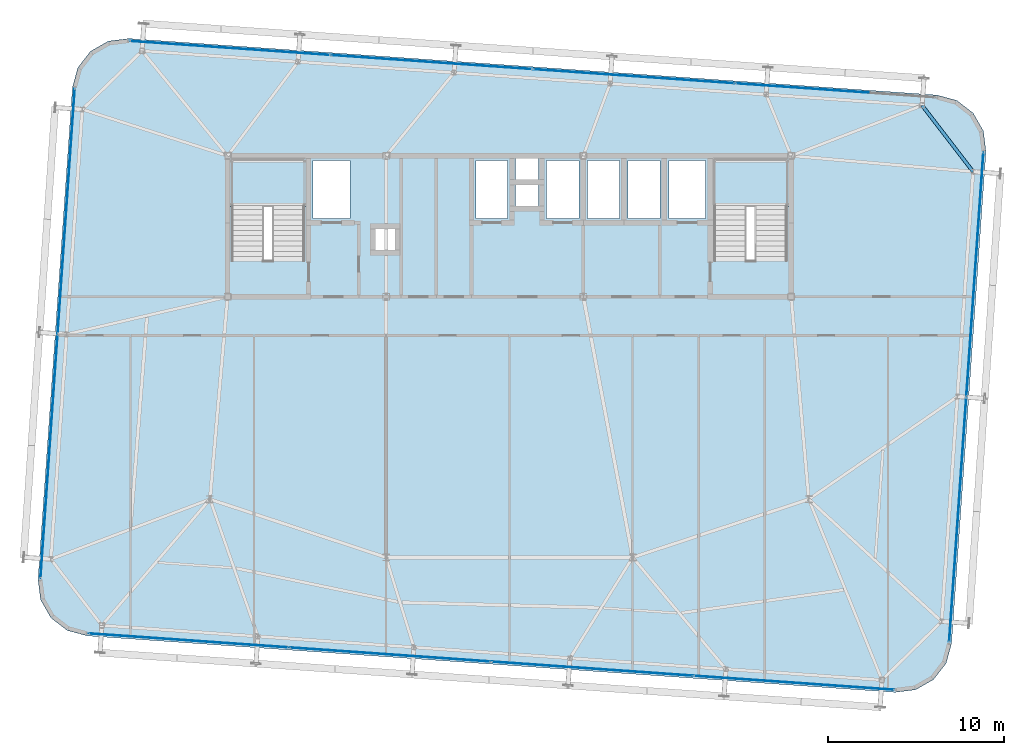
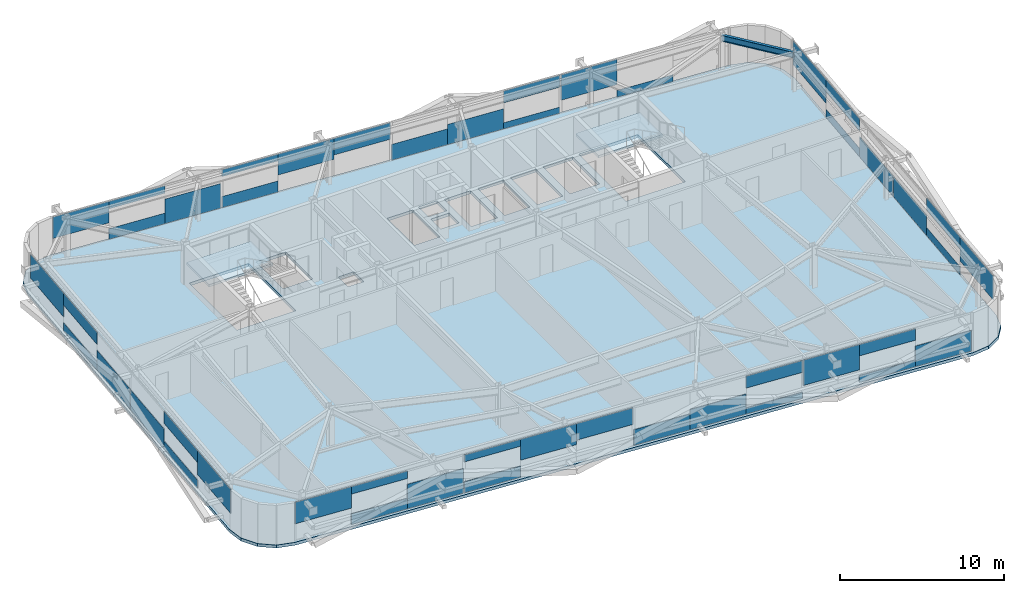
# One storey, part 25 of 39: 46 plates, 3 slabs, 1 beam, 6 elements without a shape of their own.
"""IFC4 building model written with IfcOpenShell, lengths in metres."""

from ifc_helpers import new_model, si_unit, direction, frame, origin, origin_2d, place, context, subcontext, project, spatial, polyline, rectangle, i_section, outline, extrude, source, transform, mapped, material, layer, layer_set, material_profile, profile_set, type_object, element, aggregate, save


model = new_model("IFC4")

# Units and contexts
model_context = context("Model", 3, precision=1e-05, world=origin(), true_north=direction((0.0, 1.0)))
body_context = subcontext(model_context, "Body", "Model", "MODEL_VIEW")
ifc_project = project(units=[si_unit("LENGTHUNIT", "METRE"), si_unit("AREAUNIT", "SQUARE_METRE"), si_unit("VOLUMEUNIT", "CUBIC_METRE"), si_unit("PLANEANGLEUNIT", "RADIAN"), si_unit("MASSUNIT", "GRAM", prefix="KILO")], contexts=[model_context])

# Site, building, storey
site_placement = place(None, origin())
site = spatial("IfcSite", under=ifc_project, at=site_placement, CompositionType="ELEMENT")
building_placement = place(site_placement, origin())
building = spatial("IfcBuilding", under=site, at=building_placement, Name="Taldren Reach Tower", CompositionType="ELEMENT")
storey_placement = place(building_placement, frame((0.0, 0.0, 151.89990234375)))
storey = spatial("IfcBuildingStorey", under=building, at=storey_placement, Name="L46", CompositionType="ELEMENT", Elevation=151.89990234375)

# Beam
ifc_material_1 = material(Name="Steel Gr 350 (350PLUS)", Category="steel")
ifc_material_profile = material_profile(ifc_material_1, i_section(OverallWidth=0.18994140625, OverallDepth=0.4541015625, WebThickness=0.008544921875, FlangeThickness=0.0126953125, at=origin_2d()), Name="460UB67.1")
ifc_profile_set = profile_set([ifc_material_profile], Name="Steel Gr 350 (350PLUS)")
beam_type = type_object("IfcBeamType", Name="SP-UB460B", PredefinedType="SPANDREL", material=ifc_profile_set)
shared_shape_1 = source(origin(), body_context, "Body", "SweptSolid", [
    extrude(i_section(OverallWidth=0.18994140625, OverallDepth=0.4541015625, WebThickness=0.008544921875, FlangeThickness=0.0126953125, at=origin_2d()), origin(), (0.0, 0.0, 1.0), 4.745849609375),
])
beam_placement = place(storey_placement, frame((61.3310546875, 31.1005859375, 2.703125), z_axis=(-0.609904656723, 0.792474800677, 0.0), x_axis=(-0.792474800677, -0.609904656723, 0.0)))
element("IfcBeam", 1, at=beam_placement, inside=storey, type_object=beam_type, Name="Perimeter spandrel B3 E3-N6 L46", PredefinedType="SPANDREL", context=body_context, shape_type="MappedRepresentation", body=[
    mapped(shared_shape_1, transform((0.0, 0.0, 0.0), scale=1.0)),
])

# Slab
ifc_material_2 = material(Name="Concrete N40 (40 MPa)", Category="concrete")
ifc_layer_1 = layer(ifc_material_2, 0.219970703125)
ifc_layer_set_1 = layer_set([ifc_layer_1], Name="Concrete N40 (40 MPa)")
slab_type_1 = type_object("IfcSlabType", Name="SL-FLR-220", PredefinedType="FLOOR", material=ifc_layer_set_1)
slab_1_placement = place(storey_placement, frame((0.0, 0.0, -0.219970703125)))
element("IfcSlab", 2, at=slab_1_placement, inside=storey, type_object=slab_type_1, Name="Suspended floor slab L46", PredefinedType="FLOOR", context=body_context, shape_type="SweptSolid", body=[
    extrude(outline(polyline([(56.908203125, 1.537109375), (58.0693359375, 1.684814453125), (59.08544921875, 2.265625), (59.80224609375, 3.191162109375), (60.110107421875, 4.320556640625), (62.063232421875, 32.252197265625), (61.91552734375, 33.413330078125), (61.334716796875, 34.4296875), (60.4091796875, 35.146240234375), (59.27978515625, 35.4541015625), (13.391845703125, 38.6630859375), (12.230712890625, 38.515380859375), (11.21435546875, 37.934326171875), (10.497802734375, 37.0087890625), (10.18994140625, 35.879638671875), (8.23681640625, 7.94775390625), (8.384521484375, 6.78662109375), (8.96533203125, 5.770263671875), (9.890869140625, 5.0537109375), (11.020263671875, 4.745849609375), (56.908203125, 1.537109375)]), holes=[polyline([(19.219970703125, 26.050048828125), (23.3798828125, 26.050048828125), (23.3798828125, 31.820068359375), (19.219970703125, 31.820068359375), (19.219970703125, 26.050048828125)]), polyline([(46.6201171875, 26.050048828125), (50.780029296875, 26.050048828125), (50.780029296875, 31.820068359375), (46.6201171875, 31.820068359375), (46.6201171875, 26.050048828125)]), polyline([(23.85009765625, 28.449951171875), (25.949951171875, 28.449951171875), (25.949951171875, 31.75), (23.85009765625, 31.75), (23.85009765625, 28.449951171875)]), polyline([(44.050048828125, 28.449951171875), (46.14990234375, 28.449951171875), (46.14990234375, 31.75), (44.050048828125, 31.75), (44.050048828125, 28.449951171875)]), polyline([(33.10009765625, 28.449951171875), (34.89990234375, 28.449951171875), (34.89990234375, 31.75), (33.10009765625, 31.75), (33.10009765625, 28.449951171875)]), polyline([(37.10009765625, 28.449951171875), (38.949951171875, 28.449951171875), (38.949951171875, 31.75), (37.10009765625, 31.75), (37.10009765625, 28.449951171875)]), polyline([(39.449951171875, 28.449951171875), (41.25, 28.449951171875), (41.25, 31.75), (39.449951171875, 31.75), (39.449951171875, 28.449951171875)]), polyline([(41.75, 28.449951171875), (43.550048828125, 28.449951171875), (43.550048828125, 31.75), (41.75, 31.75), (41.75, 28.449951171875)]), polyline([(35.35009765625, 30.64990234375), (36.64990234375, 30.64990234375), (36.64990234375, 31.85009765625), (35.35009765625, 31.85009765625), (35.35009765625, 30.64990234375)]), polyline([(35.35009765625, 29.14990234375), (36.64990234375, 29.14990234375), (36.64990234375, 30.35009765625), (35.35009765625, 30.35009765625), (35.35009765625, 29.14990234375)]), polyline([(27.39990234375, 26.64990234375), (28.5, 26.64990234375), (28.5, 27.85009765625), (27.39990234375, 27.85009765625), (27.39990234375, 26.64990234375)])]), origin(), (0.0, 0.0, 1.0), 0.219970703125),
])

# Stair, slab
ifc_material_3 = material(Name="Concrete S50 (50 MPa)", Category="concrete")
stair_type = type_object("IfcStairType", Name="ST-HT-315", PredefinedType="HALF_TURN_STAIR", material=ifc_material_3)
stair_1_placement = place(storey_placement, origin())
stair_1 = element("IfcStair", 3, at=stair_1_placement, inside=storey, type_object=stair_type, Name="Fire-isolated exit stair ST1 L46", PredefinedType="HALF_TURN_STAIR")
ifc_layer_2 = layer(ifc_material_3, 0.179931640625)
ifc_layer_set_2 = layer_set([ifc_layer_2], Name="Concrete S50 (50 MPa)")
slab_type_2 = type_object("IfcSlabType", Name="SL-LAND-180", PredefinedType="LANDING", material=ifc_layer_set_2)
slab_2_placement = place(storey_placement, frame((0.0, 0.0, 1.39501953125)))
slab_2 = element("IfcSlab", 4, at=slab_2_placement, type_object=slab_type_2, Name="ST1 landing 1", PredefinedType="LANDING", context=body_context, shape_type="SweptSolid", body=[
    extrude(outline(polyline([(19.0400390625, 29.135009765625), (23.56005859375, 29.135009765625), (23.56005859375, 31.8701171875), (19.0400390625, 31.8701171875), (19.0400390625, 29.135009765625)])), origin(), (0.0, 0.0, 1.0), 0.18017578125),
])
aggregate(stair_1, [slab_2])

stair_2_placement = place(storey_placement, origin())
stair_2 = element("IfcStair", 5, at=stair_2_placement, inside=storey, type_object=stair_type, Name="Fire-isolated exit stair ST2 L46", PredefinedType="HALF_TURN_STAIR")
slab_3_placement = place(storey_placement, frame((0.0, 0.0, 1.39501953125)))
slab_3 = element("IfcSlab", 6, at=slab_3_placement, type_object=slab_type_2, Name="ST2 landing 1", PredefinedType="LANDING", context=body_context, shape_type="SweptSolid", body=[
    extrude(outline(polyline([(46.43994140625, 29.135009765625), (50.9599609375, 29.135009765625), (50.9599609375, 31.8701171875), (46.43994140625, 31.8701171875), (46.43994140625, 29.135009765625)])), origin(), (0.0, 0.0, 1.0), 0.18017578125),
])
aggregate(stair_2, [slab_3])

# Curtain wall, plate
ifc_material_4 = material(Name="Aluminium and Low-E Glass Unitised System", Category="aluminium")
ifc_layer_3 = layer(ifc_material_4, 0.159912109375)
ifc_layer_set_3 = layer_set([ifc_layer_3], Name="Aluminium and Low-E Glass Unitised System")
curtain_wall_type = type_object("IfcCurtainWallType", Name="CW-SYS-4", PredefinedType="NOTDEFINED", material=ifc_layer_set_3)
curtain_wall_1_placement = place(storey_placement, origin())
curtain_wall_1 = element("IfcCurtainWall", 7, at=curtain_wall_1_placement, inside=storey, type_object=curtain_wall_type, Name="Unitised curtain wall CW-L46-S", PredefinedType="NOTDEFINED")
ifc_material_5 = material(Name="Solar-Control Double Glazed IGU", Category="glass")
ifc_layer_4 = layer(ifc_material_5, 0.031982421875)
ifc_layer_set_4 = layer_set([ifc_layer_4], Name="Solar-Control Double Glazed IGU")
plate_type = type_object("IfcPlateType", Name="CW-PNL-IGU32", PredefinedType="CURTAIN_PANEL", material=ifc_layer_set_4)
shared_shape_2 = source(origin(), body_context, "Body", "SweptSolid", [
    extrude(rectangle(XDim=3.79833984375, YDim=0.031982421875, at=origin_2d()), origin(), (0.0, 0.0, 1.0), 1.597900390625),
])
plate_1_placement = place(storey_placement, frame((12.994384765625, 4.748046875, 1.27734375), z_axis=(0.0, 0.0, 1.0), x_axis=(0.99756404731, -0.06975651593, 0.0)))
plate_1 = element("IfcPlate", 8, at=plate_1_placement, type_object=plate_type, Name="CW-4 panel 1.1 part 1", PredefinedType="CURTAIN_PANEL", context=body_context, shape_type="MappedRepresentation", body=[
    mapped(shared_shape_2, transform((0.0, 0.0, 0.0), scale=1.0)),
])

curtain_wall_2_placement = place(storey_placement, origin())
curtain_wall_2 = element("IfcCurtainWall", 9, at=curtain_wall_2_placement, inside=storey, type_object=curtain_wall_type, Name="Unitised curtain wall CW-L46-N", PredefinedType="NOTDEFINED")
plate_2_placement = place(storey_placement, frame((15.346435546875, 38.385986328125, 1.27734375), z_axis=(0.0, 0.0, 1.0), x_axis=(-0.99756404731, 0.06975651593, 0.0)))
plate_2 = element("IfcPlate", 10, at=plate_2_placement, type_object=plate_type, Name="CW-4 panel 4.1 part 4", PredefinedType="CURTAIN_PANEL", context=body_context, shape_type="MappedRepresentation", body=[
    mapped(shared_shape_2, transform((0.0, 0.0, 0.0), scale=1.0)),
])

# Plate
shared_shape_3 = source(origin(), body_context, "Body", "SweptSolid", [
    extrude(rectangle(XDim=3.79833984375, YDim=0.031982421875, at=origin_2d()), origin(), (0.0, 0.0, 1.0), 0.787109375),
])
plate_3_placement = place(storey_placement, frame((16.783447265625, 4.483154296875, 0.05517578125), z_axis=(0.0, 0.0, 1.0), x_axis=(0.99756404731, -0.06975651593, 0.0)))
plate_3 = element("IfcPlate", 11, at=plate_3_placement, type_object=plate_type, Name="CW-4 panel 1.1 part 2", PredefinedType="CURTAIN_PANEL", context=body_context, shape_type="MappedRepresentation", body=[
    mapped(shared_shape_3, transform((0.0, 0.0, 0.0), scale=1.0)),
])

plate_4_placement = place(storey_placement, frame((19.135498046875, 38.12109375, 0.05517578125), z_axis=(0.0, 0.0, 1.0), x_axis=(-0.99756404731, 0.06975651593, 0.0)))
plate_4 = element("IfcPlate", 12, at=plate_4_placement, type_object=plate_type, Name="CW-4 panel 4.1 part 2", PredefinedType="CURTAIN_PANEL", context=body_context, shape_type="MappedRepresentation", body=[
    mapped(shared_shape_3, transform((0.0, 0.0, 0.0), scale=1.0)),
])

shared_shape_4 = source(origin(), body_context, "Body", "SweptSolid", [
    extrude(rectangle(XDim=3.79833984375, YDim=0.031982421875, at=origin_2d()), origin(), (0.0, 0.0, 1.0), 0.558349609375),
])
plate_5_placement = place(storey_placement, frame((16.783447265625, 4.483154296875, 2.31689453125), z_axis=(0.0, 0.0, 1.0), x_axis=(0.99756404731, -0.06975651593, 0.0)))
plate_5 = element("IfcPlate", 13, at=plate_5_placement, type_object=plate_type, Name="CW-4 panel 1.1 part 3", PredefinedType="CURTAIN_PANEL", context=body_context, shape_type="MappedRepresentation", body=[
    mapped(shared_shape_4, transform((0.0, 0.0, 0.0), scale=1.0)),
])

plate_6_placement = place(storey_placement, frame((19.135498046875, 38.12109375, 2.31689453125), z_axis=(0.0, 0.0, 1.0), x_axis=(-0.99756404731, 0.06975651593, 0.0)))
plate_6 = element("IfcPlate", 14, at=plate_6_placement, type_object=plate_type, Name="CW-4 panel 4.1 part 3", PredefinedType="CURTAIN_PANEL", context=body_context, shape_type="MappedRepresentation", body=[
    mapped(shared_shape_4, transform((0.0, 0.0, 0.0), scale=1.0)),
])

shared_shape_5 = source(origin(), body_context, "Body", "SweptSolid", [
    extrude(rectangle(XDim=3.79833984375, YDim=0.031982421875, at=origin_2d()), origin(), (0.0, 0.0, 1.0), 1.826416015625),
])
plate_7_placement = place(storey_placement, frame((20.572509765625, 4.21826171875, 0.05517578125), z_axis=(0.0, 0.0, 1.0), x_axis=(0.99756404731, -0.06975651593, 0.0)))
plate_7 = element("IfcPlate", 15, at=plate_7_placement, type_object=plate_type, Name="CW-4 panel 1.1 part 4", PredefinedType="CURTAIN_PANEL", context=body_context, shape_type="MappedRepresentation", body=[
    mapped(shared_shape_5, transform((0.0, 0.0, 0.0), scale=1.0)),
])

plate_8_placement = place(storey_placement, frame((22.924560546875, 37.85595703125, 0.05517578125), z_axis=(0.0, 0.0, 1.0), x_axis=(-0.99756404731, 0.06975651593, 0.0)))
plate_8 = element("IfcPlate", 16, at=plate_8_placement, type_object=plate_type, Name="CW-4 panel 4.1 part 1", PredefinedType="CURTAIN_PANEL", context=body_context, shape_type="MappedRepresentation", body=[
    mapped(shared_shape_5, transform((0.0, 0.0, 0.0), scale=1.0)),
])

shared_shape_6 = source(origin(), body_context, "Body", "SweptSolid", [
    extrude(rectangle(XDim=3.81005859375, YDim=0.031982421875, at=origin_2d()), origin(), (0.0, 0.0, 1.0), 0.8271484375),
])
plate_9_placement = place(storey_placement, frame((24.437255859375, 3.947998046875, 0.05517578125), z_axis=(0.0, 0.0, 1.0), x_axis=(0.99756404731, -0.06975651593, 0.0)))
plate_9 = element("IfcPlate", 17, at=plate_9_placement, type_object=plate_type, Name="CW-4 panel 2.1 part 1", PredefinedType="CURTAIN_PANEL", context=body_context, shape_type="MappedRepresentation", body=[
    mapped(shared_shape_6, transform((0.0, 0.0, 0.0), scale=1.0)),
])

plate_10_placement = place(storey_placement, frame((26.789306640625, 37.585693359375, 0.05517578125), z_axis=(0.0, 0.0, 1.0), x_axis=(-0.99756404731, 0.06975651593, 0.0)))
plate_10 = element("IfcPlate", 18, at=plate_10_placement, type_object=plate_type, Name="CW-4 panel 3.1 part 3", PredefinedType="CURTAIN_PANEL", context=body_context, shape_type="MappedRepresentation", body=[
    mapped(shared_shape_6, transform((0.0, 0.0, 0.0), scale=1.0)),
])

shared_shape_7 = source(origin(), body_context, "Body", "SweptSolid", [
    extrude(rectangle(XDim=3.81005859375, YDim=0.031982421875, at=origin_2d()), origin(), (0.0, 0.0, 1.0), 0.51513671875),
])
plate_11_placement = place(storey_placement, frame((24.437255859375, 3.947998046875, 2.360107421875), z_axis=(0.0, 0.0, 1.0), x_axis=(0.99756404731, -0.06975651593, 0.0)))
plate_11 = element("IfcPlate", 19, at=plate_11_placement, type_object=plate_type, Name="CW-4 panel 2.1 part 2", PredefinedType="CURTAIN_PANEL", context=body_context, shape_type="MappedRepresentation", body=[
    mapped(shared_shape_7, transform((0.0, 0.0, 0.0), scale=1.0)),
])

plate_12_placement = place(storey_placement, frame((26.789306640625, 37.585693359375, 2.360107421875), z_axis=(0.0, 0.0, 1.0), x_axis=(-0.99756404731, 0.06975651593, 0.0)))
plate_12 = element("IfcPlate", 20, at=plate_12_placement, type_object=plate_type, Name="CW-4 panel 3.1 part 4", PredefinedType="CURTAIN_PANEL", context=body_context, shape_type="MappedRepresentation", body=[
    mapped(shared_shape_7, transform((0.0, 0.0, 0.0), scale=1.0)),
])

shared_shape_8 = source(origin(), body_context, "Body", "SweptSolid", [
    extrude(rectangle(XDim=3.81005859375, YDim=0.031982421875, at=origin_2d()), origin(), (0.0, 0.0, 1.0), 1.5576171875),
])
plate_13_placement = place(storey_placement, frame((28.23779296875, 3.68212890625, 1.3173828125), z_axis=(0.0, 0.0, 1.0), x_axis=(0.99756404731, -0.06975651593, 0.0)))
plate_13 = element("IfcPlate", 21, at=plate_13_placement, type_object=plate_type, Name="CW-4 panel 2.1 part 3", PredefinedType="CURTAIN_PANEL", context=body_context, shape_type="MappedRepresentation", body=[
    mapped(shared_shape_8, transform((0.0, 0.0, 0.0), scale=1.0)),
])

plate_14_placement = place(storey_placement, frame((30.590087890625, 37.320068359375, 1.3173828125), z_axis=(0.0, 0.0, 1.0), x_axis=(-0.99756404731, 0.06975651593, 0.0)))
plate_14 = element("IfcPlate", 22, at=plate_14_placement, type_object=plate_type, Name="CW-4 panel 3.1 part 2", PredefinedType="CURTAIN_PANEL", context=body_context, shape_type="MappedRepresentation", body=[
    mapped(shared_shape_8, transform((0.0, 0.0, 0.0), scale=1.0)),
])

shared_shape_9 = source(origin(), body_context, "Body", "SweptSolid", [
    extrude(rectangle(XDim=3.81005859375, YDim=0.031982421875, at=origin_2d()), origin(), (0.0, 0.0, 1.0), 1.23193359375),
])
plate_15_placement = place(storey_placement, frame((32.03857421875, 3.41650390625, 1.64306640625), z_axis=(0.0, 0.0, 1.0), x_axis=(0.99756404731, -0.06975651593, 0.0)))
plate_15 = element("IfcPlate", 23, at=plate_15_placement, type_object=plate_type, Name="CW-4 panel 2.1 part 4", PredefinedType="CURTAIN_PANEL", context=body_context, shape_type="MappedRepresentation", body=[
    mapped(shared_shape_9, transform((0.0, 0.0, 0.0), scale=1.0)),
])

plate_16_placement = place(storey_placement, frame((34.390869140625, 37.05419921875, 1.64306640625), z_axis=(0.0, 0.0, 1.0), x_axis=(-0.99756404731, 0.06975651593, 0.0)))
plate_16 = element("IfcPlate", 24, at=plate_16_placement, type_object=plate_type, Name="CW-4 panel 3.1 part 1", PredefinedType="CURTAIN_PANEL", context=body_context, shape_type="MappedRepresentation", body=[
    mapped(shared_shape_9, transform((0.0, 0.0, 0.0), scale=1.0)),
])

shared_shape_10 = source(origin(), body_context, "Body", "SweptSolid", [
    extrude(rectangle(XDim=3.81005859375, YDim=0.031982421875, at=origin_2d()), origin(), (0.0, 0.0, 1.0), 1.172119140625),
])
plate_17_placement = place(storey_placement, frame((35.9091796875, 3.145751953125, 0.05517578125), z_axis=(0.0, 0.0, 1.0), x_axis=(0.99756404731, -0.06975651593, 0.0)))
plate_17 = element("IfcPlate", 25, at=plate_17_placement, type_object=plate_type, Name="CW-4 panel 3.1 part 1", PredefinedType="CURTAIN_PANEL", context=body_context, shape_type="MappedRepresentation", body=[
    mapped(shared_shape_10, transform((0.0, 0.0, 0.0), scale=1.0)),
])

plate_18_placement = place(storey_placement, frame((38.261474609375, 36.78369140625, 0.05517578125), z_axis=(0.0, 0.0, 1.0), x_axis=(-0.99756404731, 0.06975651593, 0.0)))
plate_18 = element("IfcPlate", 26, at=plate_18_placement, type_object=plate_type, Name="CW-4 panel 2.1 part 4", PredefinedType="CURTAIN_PANEL", context=body_context, shape_type="MappedRepresentation", body=[
    mapped(shared_shape_10, transform((0.0, 0.0, 0.0), scale=1.0)),
])

shared_shape_11 = source(origin(), body_context, "Body", "SweptSolid", [
    extrude(rectangle(XDim=3.81005859375, YDim=0.031982421875, at=origin_2d()), origin(), (0.0, 0.0, 1.0), 1.497802734375),
])
plate_19_placement = place(storey_placement, frame((39.7099609375, 2.8798828125, 0.05517578125), z_axis=(0.0, 0.0, 1.0), x_axis=(0.99756404731, -0.06975651593, 0.0)))
plate_19 = element("IfcPlate", 27, at=plate_19_placement, type_object=plate_type, Name="CW-4 panel 3.1 part 2", PredefinedType="CURTAIN_PANEL", context=body_context, shape_type="MappedRepresentation", body=[
    mapped(shared_shape_11, transform((0.0, 0.0, 0.0), scale=1.0)),
])

plate_20_placement = place(storey_placement, frame((42.06201171875, 36.517822265625, 0.05517578125), z_axis=(0.0, 0.0, 1.0), x_axis=(-0.99756404731, 0.06975651593, 0.0)))
plate_20 = element("IfcPlate", 28, at=plate_20_placement, type_object=plate_type, Name="CW-4 panel 2.1 part 3", PredefinedType="CURTAIN_PANEL", context=body_context, shape_type="MappedRepresentation", body=[
    mapped(shared_shape_11, transform((0.0, 0.0, 0.0), scale=1.0)),
])

shared_shape_12 = source(origin(), body_context, "Body", "SweptSolid", [
    extrude(rectangle(XDim=3.81005859375, YDim=0.031982421875, at=origin_2d()), origin(), (0.0, 0.0, 1.0), 0.455078125),
])
plate_21_placement = place(storey_placement, frame((43.510498046875, 2.6142578125, 0.05517578125), z_axis=(0.0, 0.0, 1.0), x_axis=(0.99756404731, -0.06975651593, 0.0)))
plate_21 = element("IfcPlate", 29, at=plate_21_placement, type_object=plate_type, Name="CW-4 panel 3.1 part 3", PredefinedType="CURTAIN_PANEL", context=body_context, shape_type="MappedRepresentation", body=[
    mapped(shared_shape_12, transform((0.0, 0.0, 0.0), scale=1.0)),
])

plate_22_placement = place(storey_placement, frame((45.86279296875, 36.251953125, 0.05517578125), z_axis=(0.0, 0.0, 1.0), x_axis=(-0.99756404731, 0.06975651593, 0.0)))
plate_22 = element("IfcPlate", 30, at=plate_22_placement, type_object=plate_type, Name="CW-4 panel 2.1 part 1", PredefinedType="CURTAIN_PANEL", context=body_context, shape_type="MappedRepresentation", body=[
    mapped(shared_shape_12, transform((0.0, 0.0, 0.0), scale=1.0)),
])

shared_shape_13 = source(origin(), body_context, "Body", "SweptSolid", [
    extrude(rectangle(XDim=3.81005859375, YDim=0.031982421875, at=origin_2d()), origin(), (0.0, 0.0, 1.0), 0.88720703125),
])
plate_23_placement = place(storey_placement, frame((43.510498046875, 2.6142578125, 1.98779296875), z_axis=(0.0, 0.0, 1.0), x_axis=(0.99756404731, -0.06975651593, 0.0)))
plate_23 = element("IfcPlate", 31, at=plate_23_placement, type_object=plate_type, Name="CW-4 panel 3.1 part 4", PredefinedType="CURTAIN_PANEL", context=body_context, shape_type="MappedRepresentation", body=[
    mapped(shared_shape_13, transform((0.0, 0.0, 0.0), scale=1.0)),
])

plate_24_placement = place(storey_placement, frame((45.86279296875, 36.251953125, 1.98779296875), z_axis=(0.0, 0.0, 1.0), x_axis=(-0.99756404731, 0.06975651593, 0.0)))
plate_24 = element("IfcPlate", 32, at=plate_24_placement, type_object=plate_type, Name="CW-4 panel 2.1 part 2", PredefinedType="CURTAIN_PANEL", context=body_context, shape_type="MappedRepresentation", body=[
    mapped(shared_shape_13, transform((0.0, 0.0, 0.0), scale=1.0)),
])

shared_shape_14 = source(origin(), body_context, "Body", "SweptSolid", [
    extrude(rectangle(XDim=3.79833984375, YDim=0.031982421875, at=origin_2d()), origin(), (0.0, 0.0, 1.0), 1.886474609375),
])
plate_25_placement = place(storey_placement, frame((47.375244140625, 2.343994140625, 0.98876953125), z_axis=(0.0, 0.0, 1.0), x_axis=(0.99756404731, -0.06975651593, 0.0)))
plate_25 = element("IfcPlate", 33, at=plate_25_placement, type_object=plate_type, Name="CW-4 panel 4.1 part 1", PredefinedType="CURTAIN_PANEL", context=body_context, shape_type="MappedRepresentation", body=[
    mapped(shared_shape_14, transform((0.0, 0.0, 0.0), scale=1.0)),
])

plate_26_placement = place(storey_placement, frame((49.7275390625, 35.981689453125, 0.98876953125), z_axis=(0.0, 0.0, 1.0), x_axis=(-0.99756404731, 0.06975651593, 0.0)))
plate_26 = element("IfcPlate", 34, at=plate_26_placement, type_object=plate_type, Name="CW-4 panel 1.1 part 4", PredefinedType="CURTAIN_PANEL", context=body_context, shape_type="MappedRepresentation", body=[
    mapped(shared_shape_14, transform((0.0, 0.0, 0.0), scale=1.0)),
])

shared_shape_15 = source(origin(), body_context, "Body", "SweptSolid", [
    extrude(rectangle(XDim=3.79833984375, YDim=0.031982421875, at=origin_2d()), origin(), (0.0, 0.0, 1.0), 0.498291015625),
])
plate_27_placement = place(storey_placement, frame((51.16455078125, 2.0791015625, 0.05517578125), z_axis=(0.0, 0.0, 1.0), x_axis=(0.99756404731, -0.06975651593, 0.0)))
plate_27 = element("IfcPlate", 35, at=plate_27_placement, type_object=plate_type, Name="CW-4 panel 4.1 part 2", PredefinedType="CURTAIN_PANEL", context=body_context, shape_type="MappedRepresentation", body=[
    mapped(shared_shape_15, transform((0.0, 0.0, 0.0), scale=1.0)),
])

plate_28_placement = place(storey_placement, frame((53.5166015625, 35.716796875, 0.05517578125), z_axis=(0.0, 0.0, 1.0), x_axis=(-0.99756404731, 0.06975651593, 0.0)))
plate_28 = element("IfcPlate", 36, at=plate_28_placement, type_object=plate_type, Name="CW-4 panel 1.1 part 2", PredefinedType="CURTAIN_PANEL", context=body_context, shape_type="MappedRepresentation", body=[
    mapped(shared_shape_15, transform((0.0, 0.0, 0.0), scale=1.0)),
])

aggregate(curtain_wall_2, [plate_28, plate_26, plate_22, plate_24, plate_20, plate_18, plate_16, plate_14, plate_10, plate_12, plate_8, plate_4, plate_6, plate_2])

shared_shape_16 = source(origin(), body_context, "Body", "SweptSolid", [
    extrude(rectangle(XDim=3.79833984375, YDim=0.031982421875, at=origin_2d()), origin(), (0.0, 0.0, 1.0), 0.84716796875),
])
plate_29_placement = place(storey_placement, frame((51.16455078125, 2.0791015625, 2.028076171875), z_axis=(0.0, 0.0, 1.0), x_axis=(0.99756404731, -0.06975651593, 0.0)))
plate_29 = element("IfcPlate", 37, at=plate_29_placement, type_object=plate_type, Name="CW-4 panel 4.1 part 3", PredefinedType="CURTAIN_PANEL", context=body_context, shape_type="MappedRepresentation", body=[
    mapped(shared_shape_16, transform((0.0, 0.0, 0.0), scale=1.0)),
])

shared_shape_17 = source(origin(), body_context, "Body", "SweptSolid", [
    extrude(rectangle(XDim=3.79833984375, YDim=0.031982421875, at=origin_2d()), origin(), (0.0, 0.0, 1.0), 1.537841796875),
])
plate_30_placement = place(storey_placement, frame((54.95361328125, 1.81396484375, 0.05517578125), z_axis=(0.0, 0.0, 1.0), x_axis=(0.99756404731, -0.06975651593, 0.0)))
plate_30 = element("IfcPlate", 38, at=plate_30_placement, type_object=plate_type, Name="CW-4 panel 4.1 part 4", PredefinedType="CURTAIN_PANEL", context=body_context, shape_type="MappedRepresentation", body=[
    mapped(shared_shape_17, transform((0.0, 0.0, 0.0), scale=1.0)),
])

aggregate(curtain_wall_1, [plate_1, plate_3, plate_5, plate_7, plate_9, plate_11, plate_13, plate_15, plate_17, plate_19, plate_21, plate_23, plate_25, plate_27, plate_29, plate_30])

# Curtain wall, plates
curtain_wall_3_placement = place(storey_placement, origin())
curtain_wall_3 = element("IfcCurtainWall", 39, at=curtain_wall_3_placement, inside=storey, type_object=curtain_wall_type, Name="Unitised curtain wall CW-L46-W", PredefinedType="NOTDEFINED")
shared_shape_18 = source(origin(), body_context, "Body", "SweptSolid", [
    extrude(rectangle(XDim=4.631591796875, YDim=0.031982421875, at=origin_2d()), origin(), (0.0, 0.0, 1.0), 1.776611328125),
])
plate_31_placement = place(storey_placement, frame((10.1630859375, 33.48974609375, 1.0986328125), z_axis=(0.0, 0.0, 1.0), x_axis=(-0.069756437251, -0.997564052812, 0.0)))
plate_31 = element("IfcPlate", 40, at=plate_31_placement, type_object=plate_type, Name="CW-4 panel 1.1 part 1", PredefinedType="CURTAIN_PANEL", context=body_context, shape_type="MappedRepresentation", body=[
    mapped(shared_shape_18, transform((0.0, 0.0, 0.0), scale=1.0)),
])
plate_32_placement = place(storey_placement, frame((8.542724609375, 10.318115234375, 1.0986328125), z_axis=(0.0, 0.0, 1.0), x_axis=(-0.069756437251, -0.997564052812, 0.0)))
plate_32 = element("IfcPlate", 41, at=plate_32_placement, type_object=plate_type, Name="CW-4 panel 2.1 part 4", PredefinedType="CURTAIN_PANEL", context=body_context, shape_type="MappedRepresentation", body=[
    mapped(shared_shape_18, transform((0.0, 0.0, 0.0), scale=1.0)),
])

curtain_wall_4_placement = place(storey_placement, origin())
curtain_wall_4 = element("IfcCurtainWall", 42, at=curtain_wall_4_placement, inside=storey, type_object=curtain_wall_type, Name="Unitised curtain wall CW-L46-E", PredefinedType="NOTDEFINED")
plate_33_placement = place(storey_placement, frame((60.136962890625, 6.710205078125, 1.0986328125), z_axis=(0.0, 0.0, 1.0), x_axis=(0.069756437251, 0.997564052812, 0.0)))
plate_33 = element("IfcPlate", 43, at=plate_33_placement, type_object=plate_type, Name="CW-4 panel 1.1 part 1", PredefinedType="CURTAIN_PANEL", context=body_context, shape_type="MappedRepresentation", body=[
    mapped(shared_shape_18, transform((0.0, 0.0, 0.0), scale=1.0)),
])
plate_34_placement = place(storey_placement, frame((61.757080078125, 29.882080078125, 1.0986328125), z_axis=(0.0, 0.0, 1.0), x_axis=(0.069756437251, 0.997564052812, 0.0)))
plate_34 = element("IfcPlate", 44, at=plate_34_placement, type_object=plate_type, Name="CW-4 panel 2.1 part 4", PredefinedType="CURTAIN_PANEL", context=body_context, shape_type="MappedRepresentation", body=[
    mapped(shared_shape_18, transform((0.0, 0.0, 0.0), scale=1.0)),
])

# Plate
shared_shape_19 = source(origin(), body_context, "Body", "SweptSolid", [
    extrude(rectangle(XDim=4.631591796875, YDim=0.031982421875, at=origin_2d()), origin(), (0.0, 0.0, 1.0), 0.6162109375),
])
plate_35_placement = place(storey_placement, frame((9.840087890625, 28.869384765625, 0.054931640625), z_axis=(0.0, 0.0, 1.0), x_axis=(-0.069756437251, -0.997564052812, 0.0)))
plate_35 = element("IfcPlate", 45, at=plate_35_placement, type_object=plate_type, Name="CW-4 panel 1.1 part 2", PredefinedType="CURTAIN_PANEL", context=body_context, shape_type="MappedRepresentation", body=[
    mapped(shared_shape_19, transform((0.0, 0.0, 0.0), scale=1.0)),
])

plate_36_placement = place(storey_placement, frame((8.865966796875, 14.9384765625, 0.054931640625), z_axis=(0.0, 0.0, 1.0), x_axis=(-0.069756437251, -0.997564052812, 0.0)))
plate_36 = element("IfcPlate", 46, at=plate_36_placement, type_object=plate_type, Name="CW-4 panel 2.1 part 2", PredefinedType="CURTAIN_PANEL", context=body_context, shape_type="MappedRepresentation", body=[
    mapped(shared_shape_19, transform((0.0, 0.0, 0.0), scale=1.0)),
])

plate_37_placement = place(storey_placement, frame((60.4599609375, 11.33056640625, 0.054931640625), z_axis=(0.0, 0.0, 1.0), x_axis=(0.069756437251, 0.997564052812, 0.0)))
plate_37 = element("IfcPlate", 47, at=plate_37_placement, type_object=plate_type, Name="CW-4 panel 1.1 part 2", PredefinedType="CURTAIN_PANEL", context=body_context, shape_type="MappedRepresentation", body=[
    mapped(shared_shape_19, transform((0.0, 0.0, 0.0), scale=1.0)),
])

plate_38_placement = place(storey_placement, frame((61.43408203125, 25.261474609375, 0.054931640625), z_axis=(0.0, 0.0, 1.0), x_axis=(0.069756437251, 0.997564052812, 0.0)))
plate_38 = element("IfcPlate", 48, at=plate_38_placement, type_object=plate_type, Name="CW-4 panel 2.1 part 2", PredefinedType="CURTAIN_PANEL", context=body_context, shape_type="MappedRepresentation", body=[
    mapped(shared_shape_19, transform((0.0, 0.0, 0.0), scale=1.0)),
])

shared_shape_20 = source(origin(), body_context, "Body", "SweptSolid", [
    extrude(rectangle(XDim=4.631591796875, YDim=0.031982421875, at=origin_2d()), origin(), (0.0, 0.0, 1.0), 0.897216796875),
])
plate_39_placement = place(storey_placement, frame((9.840087890625, 28.869384765625, 1.97802734375), z_axis=(0.0, 0.0, 1.0), x_axis=(-0.069756437251, -0.997564052812, 0.0)))
plate_39 = element("IfcPlate", 49, at=plate_39_placement, type_object=plate_type, Name="CW-4 panel 1.1 part 3", PredefinedType="CURTAIN_PANEL", context=body_context, shape_type="MappedRepresentation", body=[
    mapped(shared_shape_20, transform((0.0, 0.0, 0.0), scale=1.0)),
])

plate_40_placement = place(storey_placement, frame((8.865966796875, 14.9384765625, 1.97802734375), z_axis=(0.0, 0.0, 1.0), x_axis=(-0.069756437251, -0.997564052812, 0.0)))
plate_40 = element("IfcPlate", 50, at=plate_40_placement, type_object=plate_type, Name="CW-4 panel 2.1 part 3", PredefinedType="CURTAIN_PANEL", context=body_context, shape_type="MappedRepresentation", body=[
    mapped(shared_shape_20, transform((0.0, 0.0, 0.0), scale=1.0)),
])

plate_41_placement = place(storey_placement, frame((60.4599609375, 11.33056640625, 1.97802734375), z_axis=(0.0, 0.0, 1.0), x_axis=(0.069756437251, 0.997564052812, 0.0)))
plate_41 = element("IfcPlate", 51, at=plate_41_placement, type_object=plate_type, Name="CW-4 panel 1.1 part 3", PredefinedType="CURTAIN_PANEL", context=body_context, shape_type="MappedRepresentation", body=[
    mapped(shared_shape_20, transform((0.0, 0.0, 0.0), scale=1.0)),
])

plate_42_placement = place(storey_placement, frame((61.43408203125, 25.261474609375, 1.97802734375), z_axis=(0.0, 0.0, 1.0), x_axis=(0.069756437251, 0.997564052812, 0.0)))
plate_42 = element("IfcPlate", 52, at=plate_42_placement, type_object=plate_type, Name="CW-4 panel 2.1 part 3", PredefinedType="CURTAIN_PANEL", context=body_context, shape_type="MappedRepresentation", body=[
    mapped(shared_shape_20, transform((0.0, 0.0, 0.0), scale=1.0)),
])

shared_shape_21 = source(origin(), body_context, "Body", "SweptSolid", [
    extrude(rectangle(XDim=4.631591796875, YDim=0.031982421875, at=origin_2d()), origin(), (0.0, 0.0, 1.0), 1.495361328125),
])
plate_43_placement = place(storey_placement, frame((9.51708984375, 24.2490234375, 0.05517578125), z_axis=(0.0, 0.0, 1.0), x_axis=(-0.069756437251, -0.997564052812, 0.0)))
plate_43 = element("IfcPlate", 53, at=plate_43_placement, type_object=plate_type, Name="CW-4 panel 1.1 part 4", PredefinedType="CURTAIN_PANEL", context=body_context, shape_type="MappedRepresentation", body=[
    mapped(shared_shape_21, transform((0.0, 0.0, 0.0), scale=1.0)),
])

plate_44_placement = place(storey_placement, frame((9.18896484375, 19.558837890625, 0.05517578125), z_axis=(0.0, 0.0, 1.0), x_axis=(-0.069756437251, -0.997564052812, 0.0)))
plate_44 = element("IfcPlate", 54, at=plate_44_placement, type_object=plate_type, Name="CW-4 panel 2.1 part 1", PredefinedType="CURTAIN_PANEL", context=body_context, shape_type="MappedRepresentation", body=[
    mapped(shared_shape_21, transform((0.0, 0.0, 0.0), scale=1.0)),
])

aggregate(curtain_wall_3, [plate_31, plate_35, plate_39, plate_43, plate_44, plate_36, plate_40, plate_32])

plate_45_placement = place(storey_placement, frame((60.782958984375, 15.950927734375, 0.05517578125), z_axis=(0.0, 0.0, 1.0), x_axis=(0.069756437251, 0.997564052812, 0.0)))
plate_45 = element("IfcPlate", 55, at=plate_45_placement, type_object=plate_type, Name="CW-4 panel 1.1 part 4", PredefinedType="CURTAIN_PANEL", context=body_context, shape_type="MappedRepresentation", body=[
    mapped(shared_shape_21, transform((0.0, 0.0, 0.0), scale=1.0)),
])

plate_46_placement = place(storey_placement, frame((61.111083984375, 20.64111328125, 0.05517578125), z_axis=(0.0, 0.0, 1.0), x_axis=(0.069756437251, 0.997564052812, 0.0)))
plate_46 = element("IfcPlate", 56, at=plate_46_placement, type_object=plate_type, Name="CW-4 panel 2.1 part 1", PredefinedType="CURTAIN_PANEL", context=body_context, shape_type="MappedRepresentation", body=[
    mapped(shared_shape_21, transform((0.0, 0.0, 0.0), scale=1.0)),
])

aggregate(curtain_wall_4, [plate_33, plate_37, plate_41, plate_45, plate_46, plate_38, plate_42, plate_34])

save(model, "model.ifc")
